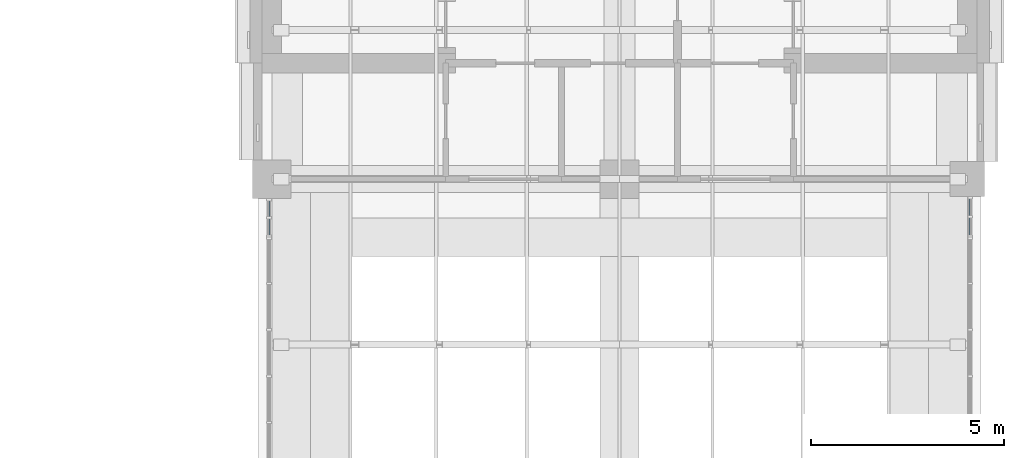
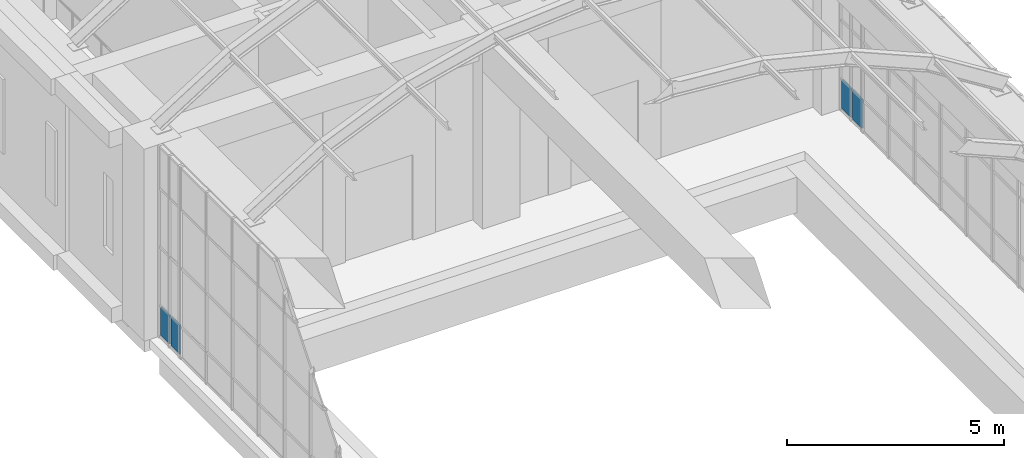
# One storey, part 24 of 39: 4 plates, 2 elements without a shape of their own.
"""IFC4 building model written with IfcOpenShell, lengths in metres."""

from ifc_helpers import new_model, si_unit, direction, frame, origin, origin_2d, place, context, subcontext, project, spatial, rectangle, extrude, material, layer, layer_set, type_object, element, aggregate, save


model = new_model("IFC4")

# Units and contexts
model_context = context("Model", 3, precision=1e-05, world=origin(), true_north=direction((0.0, 1.0)))
body_context = subcontext(model_context, "Body", "Model", "MODEL_VIEW")
ifc_project = project(units=[si_unit("LENGTHUNIT", "METRE"), si_unit("AREAUNIT", "SQUARE_METRE"), si_unit("VOLUMEUNIT", "CUBIC_METRE"), si_unit("PLANEANGLEUNIT", "RADIAN"), si_unit("MASSUNIT", "GRAM", prefix="KILO")], contexts=[model_context])

# Site, building, storey
site_placement = place(None, origin())
site = spatial("IfcSite", under=ifc_project, at=site_placement, CompositionType="ELEMENT")
building_placement = place(site_placement, origin())
building = spatial("IfcBuilding", under=site, at=building_placement, Name="Aurelan Courthouse", CompositionType="ELEMENT")
storey_placement = place(building_placement, frame((0.0, 0.0, 28.199951171875)))
storey = spatial("IfcBuildingStorey", under=building, at=storey_placement, Name="L05", CompositionType="ELEMENT", Elevation=28.199951171875)

# Curtain wall, plates
ifc_material_1 = material(Name="Bronze-finished aluminium and glass", Category="aluminium")
ifc_layer_1 = layer(ifc_material_1, 0.14990234375)
ifc_layer_set_1 = layer_set([ifc_layer_1], Name="Bronze-finished aluminium and glass")
curtain_wall_type_1 = type_object("IfcCurtainWallType", Name="Curtain wall 1050 x 5400", PredefinedType="NOTDEFINED", material=ifc_layer_set_1)
curtain_wall_1_placement = place(storey_placement, origin())
curtain_wall_1 = element("IfcCurtainWall", 1, at=curtain_wall_1_placement, inside=storey, type_object=curtain_wall_type_1, Name="Curtain wall CW-V3-L05-E03", PredefinedType="NOTDEFINED")
ifc_material_2 = material(Name="Bronze-finished aluminium", Category="aluminium")
ifc_layer_2 = layer(ifc_material_2, 0.0400390625)
ifc_layer_set_2 = layer_set([ifc_layer_2], Name="Bronze-finished aluminium")
plate_type = type_object("IfcPlateType", Name="Sill panel 40", PredefinedType="CURTAIN_PANEL", material=ifc_layer_set_2)
plate_1_placement = place(storey_placement, frame((90.074951171875, 52.777587890625, 0.06005859375), z_axis=(0.0, 0.0, 1.0), x_axis=(0.0, 1.0, 0.0)))
plate_1 = element("IfcPlate", 2, at=plate_1_placement, type_object=plate_type, Name="CW-V3-L05-E03 sill panel 1.1", PredefinedType="CURTAIN_PANEL", context=body_context, shape_type="SweptSolid", body=[
    extrude(rectangle(XDim=0.43505859375, YDim=0.0400390625, at=origin_2d()), origin(), (0.0, 0.0, 1.0), 0.81005859375),
])
plate_2_placement = place(storey_placement, frame((90.074951171875, 53.2724609375, 0.06005859375), z_axis=(0.0, 0.0, 1.0), x_axis=(0.0, 1.0, 0.0)))
plate_2 = element("IfcPlate", 3, at=plate_2_placement, type_object=plate_type, Name="CW-V3-L05-E03 sill panel 2.1", PredefinedType="CURTAIN_PANEL", context=body_context, shape_type="SweptSolid", body=[
    extrude(rectangle(XDim=0.43505859375, YDim=0.0400390625, at=origin_2d()), origin(), (0.0, 0.0, 1.0), 0.81005859375),
])
aggregate(curtain_wall_1, [plate_1, plate_2])

ifc_layer_3 = layer(ifc_material_1, 0.14990234375)
ifc_layer_set_3 = layer_set([ifc_layer_3], Name="Bronze-finished aluminium and glass")
curtain_wall_type_2 = type_object("IfcCurtainWallType", Name="Curtain wall 1000 x 5400", PredefinedType="NOTDEFINED", material=ifc_layer_set_3)
curtain_wall_2_placement = place(storey_placement, origin())
curtain_wall_2 = element("IfcCurtainWall", 4, at=curtain_wall_2_placement, inside=storey, type_object=curtain_wall_type_2, Name="Curtain wall CW-V3-L05-W03", PredefinedType="NOTDEFINED")
plate_3_placement = place(storey_placement, frame((71.925048828125, 52.764892578125, 0.06005859375), z_axis=(0.0, 0.0, 1.0), x_axis=(0.0, 1.0, 0.0)))
plate_3 = element("IfcPlate", 5, at=plate_3_placement, type_object=plate_type, Name="CW-V3-L05-W03 sill panel 1.1", PredefinedType="CURTAIN_PANEL", context=body_context, shape_type="SweptSolid", body=[
    extrude(rectangle(XDim=0.409912109375, YDim=0.0400390625, at=origin_2d()), origin(), (0.0, 0.0, 1.0), 0.81005859375),
])
plate_4_placement = place(storey_placement, frame((71.925048828125, 53.235107421875, 0.06005859375), z_axis=(0.0, 0.0, 1.0), x_axis=(0.0, 1.0, 0.0)))
plate_4 = element("IfcPlate", 6, at=plate_4_placement, type_object=plate_type, Name="CW-V3-L05-W03 sill panel 2.1", PredefinedType="CURTAIN_PANEL", context=body_context, shape_type="SweptSolid", body=[
    extrude(rectangle(XDim=0.409912109375, YDim=0.0400390625, at=origin_2d()), origin(), (0.0, 0.0, 1.0), 0.81005859375),
])
aggregate(curtain_wall_2, [plate_3, plate_4])

save(model, "model.ifc")
